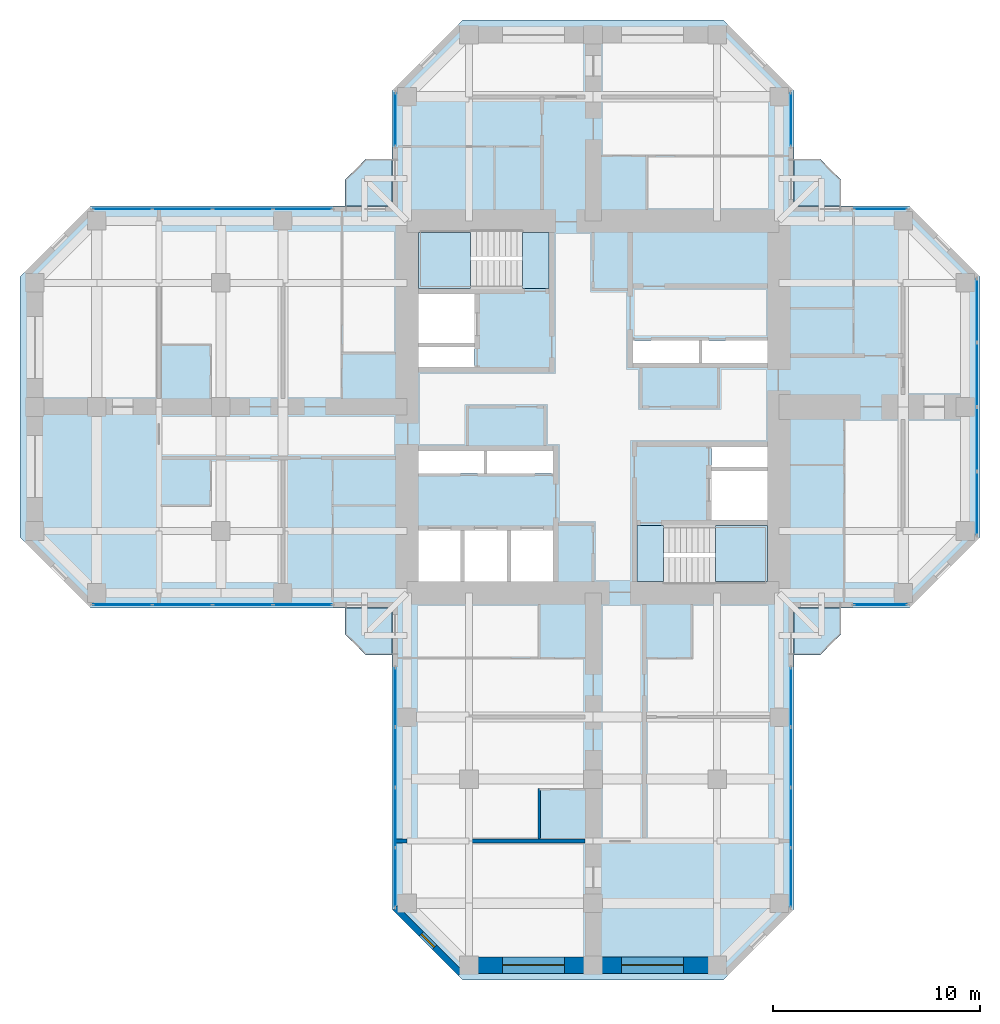
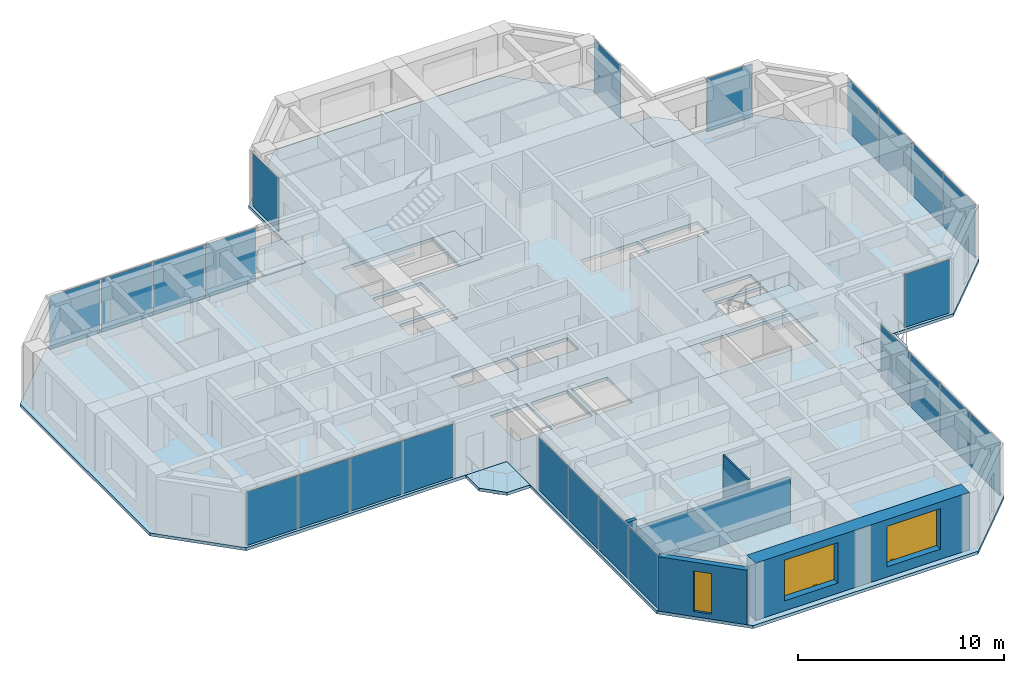
# One storey, part 7 of 14: 24 plates, 9 slabs, 5 walls, 3 windows, 3 openings, 11 elements without a shape of their own.
"""IFC4 building model written with IfcOpenShell, lengths in metres."""

from ifc_helpers import new_model, si_unit, direction, frame, frame_2d, origin, origin_2d, place, context, subcontext, project, spatial, polyline, rectangle, hollow_rectangle, outline, extrude, material, layer, layer_set, constituent, constituent_set, type_object, element, fill, aggregate, save


model = new_model("IFC4")

# Units and contexts
model_context = context("Model", 3, precision=1e-05, world=origin(), true_north=direction((0.0, 1.0)))
body_context = subcontext(model_context, "Body", "Model", "MODEL_VIEW")
ifc_project = project(units=[si_unit("LENGTHUNIT", "METRE"), si_unit("AREAUNIT", "SQUARE_METRE"), si_unit("VOLUMEUNIT", "CUBIC_METRE"), si_unit("PLANEANGLEUNIT", "RADIAN"), si_unit("MASSUNIT", "GRAM", prefix="KILO")], contexts=[model_context])

# Site, building, storey
site_placement = place(None, origin())
site = spatial("IfcSite", under=ifc_project, at=site_placement, CompositionType="ELEMENT")
building_placement = place(site_placement, origin())
building = spatial("IfcBuilding", under=site, at=building_placement, Name="Torre Cruceta", CompositionType="ELEMENT")
storey_placement = place(building_placement, frame((0.0, 0.0, 183.10009765625)))
storey = spatial("IfcBuildingStorey", under=building, at=storey_placement, Name="L45", CompositionType="ELEMENT", Elevation=183.10009765625)

# Slabs
ifc_material_1 = material(Name="Concrete G35 (fck 35 MPa)", Category="concrete")
ifc_layer_1 = layer(ifc_material_1, 0.179931640625)
ifc_layer_set_1 = layer_set([ifc_layer_1], Name="Concrete G35 (fck 35 MPa)")
slab_type_1 = type_object("IfcSlabType", Name="BALCONY SLAB 180", PredefinedType="USERDEFINED", material=ifc_layer_set_1)
slab_1_placement = place(storey_placement, frame((0.0, 0.0, -0.18017578125)))
element("IfcSlab", 1, at=slab_1_placement, inside=storey, type_object=slab_type_1, Name="Balcony slab L45 N", ObjectType="BALCONY", PredefinedType="USERDEFINED", context=body_context, shape_type="SweptSolid", body=[
    extrude(outline(polyline([(-12.0, 11.0), (-11.0, 12.0), (-9.719970703125, 12.0), (-9.719970703125, 9.719970703125), (-12.0, 9.719970703125), (-12.0, 11.0)])), origin(), (0.0, 0.0, 1.0), 0.18017578125),
])
slab_2_placement = place(storey_placement, frame((0.0, 0.0, -0.18017578125)))
element("IfcSlab", 2, at=slab_2_placement, inside=storey, type_object=slab_type_1, Name="Balcony slab L45 E", ObjectType="BALCONY", PredefinedType="USERDEFINED", context=body_context, shape_type="SweptSolid", body=[
    extrude(outline(polyline([(11.0, 12.0), (12.0, 11.0), (12.0, 9.719970703125), (9.719970703125, 9.719970703125), (9.719970703125, 12.0), (11.0, 12.0)])), origin(), (0.0, 0.0, 1.0), 0.18017578125),
])
slab_3_placement = place(storey_placement, frame((0.0, 0.0, -0.18017578125)))
element("IfcSlab", 3, at=slab_3_placement, inside=storey, type_object=slab_type_1, Name="Balcony slab L45 S", ObjectType="BALCONY", PredefinedType="USERDEFINED", context=body_context, shape_type="SweptSolid", body=[
    extrude(outline(polyline([(12.0, -11.0), (11.0, -12.0), (9.719970703125, -12.0), (9.719970703125, -9.719970703125), (12.0, -9.719970703125), (12.0, -11.0)])), origin(), (0.0, 0.0, 1.0), 0.18017578125),
])
slab_4_placement = place(storey_placement, frame((0.0, 0.0, -0.18017578125)))
element("IfcSlab", 4, at=slab_4_placement, inside=storey, type_object=slab_type_1, Name="Balcony slab L45 W", ObjectType="BALCONY", PredefinedType="USERDEFINED", context=body_context, shape_type="SweptSolid", body=[
    extrude(outline(polyline([(-11.0, -12.0), (-12.0, -11.0), (-12.0, -9.719970703125), (-9.719970703125, -9.719970703125), (-9.719970703125, -12.0), (-11.0, -12.0)])), origin(), (0.0, 0.0, 1.0), 0.18017578125),
])

# Curtain wall, plate
ifc_material_2 = material(Name="Aluminium unitised curtain wall", Category="aluminium")
curtain_wall_type = type_object("IfcCurtainWallType", Name="CURTAIN WALL CW-C CO-LIVING", PredefinedType="USERDEFINED", material=ifc_material_2)
curtain_wall_1_placement = place(storey_placement, origin())
curtain_wall_1 = element("IfcCurtainWall", 5, at=curtain_wall_1_placement, inside=storey, type_object=curtain_wall_type, Name="CW-C L45 E tip 02", ObjectType="UNITISED", PredefinedType="USERDEFINED")
ifc_material_3 = material(Name="Laminated insulating glass unit, diagonal frit 50 %", Category="glass")
ifc_material_4 = material(Name="Laminated insulating glass unit, diagonal frit 50 %", Category="glass")
ifc_layer_2 = layer(ifc_material_4, 0.030029296875)
ifc_layer_set_2 = layer_set([ifc_layer_2], Name="Laminated insulating glass unit, diagonal frit 50 %")
plate_type_1 = type_object("IfcPlateType", Name="CW-C OPERABLE VENT PANEL 30", PredefinedType="CURTAIN_PANEL", material=ifc_layer_set_2)
plate_1_placement = place(storey_placement, frame((18.570068359375, -1.55908203125, 0.010009765625), z_axis=(0.0, 0.0, 1.0), x_axis=(0.0, 1.0, 0.0)))
plate_1 = element("IfcPlate", 6, at=plate_1_placement, type_object=plate_type_1, material=ifc_material_3, Name="CW-C vent 2", PredefinedType="CURTAIN_PANEL", context=body_context, shape_type="SweptSolid", body=[
    extrude(rectangle(XDim=3.05810546875, YDim=0.030029296875, at=origin_2d()), origin(), (0.0, 0.0, 1.0), 3.14990234375),
])

curtain_wall_2_placement = place(storey_placement, origin())
curtain_wall_2 = element("IfcCurtainWall", 7, at=curtain_wall_2_placement, inside=storey, type_object=curtain_wall_type, Name="CW-C L45 W side 10", ObjectType="UNITISED", PredefinedType="USERDEFINED")
plate_2_placement = place(storey_placement, frame((-16.94482421875, 9.570068359375, 0.010009765625), z_axis=(0.0, 0.0, 1.0), x_axis=(-1.0, 0.0, 0.0)))
plate_2 = element("IfcPlate", 8, at=plate_2_placement, type_object=plate_type_1, material=ifc_material_3, Name="CW-C vent 2", PredefinedType="CURTAIN_PANEL", context=body_context, shape_type="SweptSolid", body=[
    extrude(rectangle(XDim=2.8564453125, YDim=0.030029296875, at=origin_2d()), origin(), (0.0, 0.0, 1.0), 3.14990234375),
])

curtain_wall_3_placement = place(storey_placement, origin())
curtain_wall_3 = element("IfcCurtainWall", 9, at=curtain_wall_3_placement, inside=storey, type_object=curtain_wall_type, Name="CW-C L45 W side 14", ObjectType="UNITISED", PredefinedType="USERDEFINED")
plate_3_placement = place(storey_placement, frame((-19.861328125, -9.570068359375, 0.010009765625), z_axis=(0.0, 0.0, 1.0), x_axis=(1.0, 0.0, 0.0)))
plate_3 = element("IfcPlate", 10, at=plate_3_placement, type_object=plate_type_1, material=ifc_material_3, Name="CW-C vent 2", PredefinedType="CURTAIN_PANEL", context=body_context, shape_type="SweptSolid", body=[
    extrude(rectangle(XDim=2.8564453125, YDim=0.030029296875, at=origin_2d()), origin(), (0.0, 0.0, 1.0), 3.14990234375),
])

curtain_wall_4_placement = place(storey_placement, origin())
curtain_wall_4 = element("IfcCurtainWall", 11, at=curtain_wall_4_placement, inside=storey, type_object=curtain_wall_type, Name="CW-C L45 S side 15", ObjectType="UNITISED", PredefinedType="USERDEFINED")
plate_4_placement = place(storey_placement, frame((-9.570068359375, -16.94482421875, 0.010009765625), z_axis=(0.0, 0.0, 1.0), x_axis=(0.0, -1.0, 0.0)))
plate_4 = element("IfcPlate", 12, at=plate_4_placement, type_object=plate_type_1, material=ifc_material_3, Name="CW-C vent 2", PredefinedType="CURTAIN_PANEL", context=body_context, shape_type="SweptSolid", body=[
    extrude(rectangle(XDim=2.8564453125, YDim=0.030029296875, at=origin_2d()), origin(), (0.0, 0.0, 1.0), 3.14990234375),
])

curtain_wall_5_placement = place(storey_placement, origin())
curtain_wall_5 = element("IfcCurtainWall", 13, at=curtain_wall_5_placement, inside=storey, type_object=curtain_wall_type, Name="CW-C L45 S side 19", ObjectType="UNITISED", PredefinedType="USERDEFINED")
plate_5_placement = place(storey_placement, frame((9.570068359375, -19.861328125, 0.010009765625), z_axis=(0.0, 0.0, 1.0), x_axis=(0.0, 1.0, 0.0)))
plate_5 = element("IfcPlate", 14, at=plate_5_placement, type_object=plate_type_1, material=ifc_material_3, Name="CW-C vent 2", PredefinedType="CURTAIN_PANEL", context=body_context, shape_type="SweptSolid", body=[
    extrude(rectangle(XDim=2.8564453125, YDim=0.030029296875, at=origin_2d()), origin(), (0.0, 0.0, 1.0), 3.14990234375),
])

curtain_wall_6_placement = place(storey_placement, origin())
curtain_wall_6 = element("IfcCurtainWall", 15, at=curtain_wall_6_placement, inside=storey, type_object=curtain_wall_type, Name="CW-C L45 E side 00", ObjectType="UNITISED", PredefinedType="USERDEFINED")
ifc_material_5 = material(Name="Laminated insulating glass unit, diagonal frit 50 %", Category="glass")
ifc_layer_3 = layer(ifc_material_5, 0.030029296875)
ifc_layer_set_3 = layer_set([ifc_layer_3], Name="Laminated insulating glass unit, diagonal frit 50 %")
plate_type_2 = type_object("IfcPlateType", Name="CW-C PANEL 30", PredefinedType="CURTAIN_PANEL", material=ifc_layer_set_3)
plate_6_placement = place(storey_placement, frame((13.903076171875, -9.570068359375, 0.010009765625), z_axis=(0.0, 0.0, 1.0), x_axis=(1.0, 0.0, 0.0)))
plate_6 = element("IfcPlate", 16, at=plate_6_placement, type_object=plate_type_2, material=ifc_material_3, Name="CW-C panel 1", PredefinedType="CURTAIN_PANEL", context=body_context, shape_type="SweptSolid", body=[
    extrude(rectangle(XDim=2.546142578125, YDim=0.030029296875, at=origin_2d()), origin(), (0.0, 0.0, 1.0), 3.14990234375),
])
aggregate(curtain_wall_6, [plate_6])

# Plate
plate_7_placement = place(storey_placement, frame((18.570068359375, -4.662109375, 0.010009765625), z_axis=(0.0, 0.0, 1.0), x_axis=(0.0, 1.0, 0.0)))
plate_7 = element("IfcPlate", 17, at=plate_7_placement, type_object=plate_type_2, material=ifc_material_3, Name="CW-C panel 1", PredefinedType="CURTAIN_PANEL", context=body_context, shape_type="SweptSolid", body=[
    extrude(rectangle(XDim=3.028076171875, YDim=0.030029296875, at=origin_2d()), origin(), (0.0, 0.0, 1.0), 3.14990234375),
])

plate_8_placement = place(storey_placement, frame((18.570068359375, 1.55908203125, 0.010009765625), z_axis=(0.0, 0.0, 1.0), x_axis=(0.0, 1.0, 0.0)))
plate_8 = element("IfcPlate", 18, at=plate_8_placement, type_object=plate_type_2, material=ifc_material_3, Name="CW-C panel 3", PredefinedType="CURTAIN_PANEL", context=body_context, shape_type="SweptSolid", body=[
    extrude(rectangle(XDim=3.05810546875, YDim=0.030029296875, at=origin_2d()), origin(), (0.0, 0.0, 1.0), 3.14990234375),
])

ifc_material_6 = material(Name="Laminated insulating glass unit, low-iron clear", Category="glass")
plate_9_placement = place(storey_placement, frame((18.570068359375, 4.662109375, 0.010009765625), z_axis=(0.0, 0.0, 1.0), x_axis=(0.0, 1.0, 0.0)))
plate_9 = element("IfcPlate", 19, at=plate_9_placement, type_object=plate_type_2, material=ifc_material_6, Name="CW-C panel 4", PredefinedType="CURTAIN_PANEL", context=body_context, shape_type="SweptSolid", body=[
    extrude(rectangle(XDim=3.028076171875, YDim=0.030029296875, at=origin_2d()), origin(), (0.0, 0.0, 1.0), 3.14990234375),
])

aggregate(curtain_wall_1, [plate_7, plate_1, plate_8, plate_9])

# Curtain wall, plate
curtain_wall_7_placement = place(storey_placement, origin())
curtain_wall_7 = element("IfcCurtainWall", 20, at=curtain_wall_7_placement, inside=storey, type_object=curtain_wall_type, Name="CW-C L45 E side 04", ObjectType="UNITISED", PredefinedType="USERDEFINED")
plate_10_placement = place(storey_placement, frame((13.903076171875, 9.570068359375, 0.010009765625), z_axis=(0.0, 0.0, 1.0), x_axis=(-1.0, 0.0, 0.0)))
plate_10 = element("IfcPlate", 21, at=plate_10_placement, type_object=plate_type_2, material=ifc_material_3, Name="CW-C panel 1", PredefinedType="CURTAIN_PANEL", context=body_context, shape_type="SweptSolid", body=[
    extrude(rectangle(XDim=2.546142578125, YDim=0.030029296875, at=origin_2d()), origin(), (0.0, 0.0, 1.0), 3.14990234375),
])
aggregate(curtain_wall_7, [plate_10])

curtain_wall_8_placement = place(storey_placement, origin())
curtain_wall_8 = element("IfcCurtainWall", 22, at=curtain_wall_8_placement, inside=storey, type_object=curtain_wall_type, Name="CW-C L45 N side 05", ObjectType="UNITISED", PredefinedType="USERDEFINED")
plate_11_placement = place(storey_placement, frame((9.570068359375, 13.903076171875, 0.010009765625), z_axis=(0.0, 0.0, 1.0), x_axis=(0.0, 1.0, 0.0)))
plate_11 = element("IfcPlate", 23, at=plate_11_placement, type_object=plate_type_2, material=ifc_material_3, Name="CW-C panel 1", PredefinedType="CURTAIN_PANEL", context=body_context, shape_type="SweptSolid", body=[
    extrude(rectangle(XDim=2.546142578125, YDim=0.030029296875, at=origin_2d()), origin(), (0.0, 0.0, 1.0), 3.14990234375),
])
aggregate(curtain_wall_8, [plate_11])

curtain_wall_9_placement = place(storey_placement, origin())
curtain_wall_9 = element("IfcCurtainWall", 24, at=curtain_wall_9_placement, inside=storey, type_object=curtain_wall_type, Name="CW-C L45 N side 09", ObjectType="UNITISED", PredefinedType="USERDEFINED")
plate_12_placement = place(storey_placement, frame((-9.570068359375, 13.903076171875, 0.010009765625), z_axis=(0.0, 0.0, 1.0), x_axis=(0.0, -1.0, 0.0)))
plate_12 = element("IfcPlate", 25, at=plate_12_placement, type_object=plate_type_2, material=ifc_material_3, Name="CW-C panel 1", PredefinedType="CURTAIN_PANEL", context=body_context, shape_type="SweptSolid", body=[
    extrude(rectangle(XDim=2.546142578125, YDim=0.030029296875, at=origin_2d()), origin(), (0.0, 0.0, 1.0), 3.14990234375),
])
aggregate(curtain_wall_9, [plate_12])

# Plate
plate_13_placement = place(storey_placement, frame((-14.043212890625, 9.570068359375, 0.010009765625), z_axis=(0.0, 0.0, 1.0), x_axis=(-1.0, 0.0, 0.0)))
plate_13 = element("IfcPlate", 26, at=plate_13_placement, type_object=plate_type_2, material=ifc_material_3, Name="CW-C panel 1", PredefinedType="CURTAIN_PANEL", context=body_context, shape_type="SweptSolid", body=[
    extrude(rectangle(XDim=2.826416015625, YDim=0.030029296875, at=origin_2d()), origin(), (0.0, 0.0, 1.0), 3.14990234375),
])

plate_14_placement = place(storey_placement, frame((-19.861328125, 9.570068359375, 0.010009765625), z_axis=(0.0, 0.0, 1.0), x_axis=(-1.0, 0.0, 0.0)))
plate_14 = element("IfcPlate", 27, at=plate_14_placement, type_object=plate_type_2, material=ifc_material_3, Name="CW-C panel 3", PredefinedType="CURTAIN_PANEL", context=body_context, shape_type="SweptSolid", body=[
    extrude(rectangle(XDim=2.8564453125, YDim=0.030029296875, at=origin_2d()), origin(), (0.0, 0.0, 1.0), 3.14990234375),
])

plate_15_placement = place(storey_placement, frame((-22.762939453125, 9.570068359375, 0.010009765625), z_axis=(0.0, 0.0, 1.0), x_axis=(-1.0, 0.0, 0.0)))
plate_15 = element("IfcPlate", 28, at=plate_15_placement, type_object=plate_type_2, material=ifc_material_6, Name="CW-C panel 4", PredefinedType="CURTAIN_PANEL", context=body_context, shape_type="SweptSolid", body=[
    extrude(rectangle(XDim=2.826416015625, YDim=0.030029296875, at=origin_2d()), origin(), (0.0, 0.0, 1.0), 3.14990234375),
])

aggregate(curtain_wall_2, [plate_13, plate_2, plate_14, plate_15])

plate_16_placement = place(storey_placement, frame((-22.762939453125, -9.570068359375, 0.010009765625), z_axis=(0.0, 0.0, 1.0), x_axis=(1.0, 0.0, 0.0)))
plate_16 = element("IfcPlate", 29, at=plate_16_placement, type_object=plate_type_2, material=ifc_material_3, Name="CW-C panel 1", PredefinedType="CURTAIN_PANEL", context=body_context, shape_type="SweptSolid", body=[
    extrude(rectangle(XDim=2.826416015625, YDim=0.030029296875, at=origin_2d()), origin(), (0.0, 0.0, 1.0), 3.14990234375),
])

plate_17_placement = place(storey_placement, frame((-16.94482421875, -9.570068359375, 0.010009765625), z_axis=(0.0, 0.0, 1.0), x_axis=(1.0, 0.0, 0.0)))
plate_17 = element("IfcPlate", 30, at=plate_17_placement, type_object=plate_type_2, material=ifc_material_3, Name="CW-C panel 3", PredefinedType="CURTAIN_PANEL", context=body_context, shape_type="SweptSolid", body=[
    extrude(rectangle(XDim=2.8564453125, YDim=0.030029296875, at=origin_2d()), origin(), (0.0, 0.0, 1.0), 3.14990234375),
])

plate_18_placement = place(storey_placement, frame((-14.043212890625, -9.570068359375, 0.010009765625), z_axis=(0.0, 0.0, 1.0), x_axis=(1.0, 0.0, 0.0)))
plate_18 = element("IfcPlate", 31, at=plate_18_placement, type_object=plate_type_2, material=ifc_material_6, Name="CW-C panel 4", PredefinedType="CURTAIN_PANEL", context=body_context, shape_type="SweptSolid", body=[
    extrude(rectangle(XDim=2.826416015625, YDim=0.030029296875, at=origin_2d()), origin(), (0.0, 0.0, 1.0), 3.14990234375),
])

aggregate(curtain_wall_3, [plate_16, plate_3, plate_17, plate_18])

plate_19_placement = place(storey_placement, frame((-9.570068359375, -14.043212890625, 0.010009765625), z_axis=(0.0, 0.0, 1.0), x_axis=(0.0, -1.0, 0.0)))
plate_19 = element("IfcPlate", 32, at=plate_19_placement, type_object=plate_type_2, material=ifc_material_3, Name="CW-C panel 1", PredefinedType="CURTAIN_PANEL", context=body_context, shape_type="SweptSolid", body=[
    extrude(rectangle(XDim=2.826416015625, YDim=0.030029296875, at=origin_2d()), origin(), (0.0, 0.0, 1.0), 3.14990234375),
])

plate_20_placement = place(storey_placement, frame((-9.570068359375, -19.861328125, 0.010009765625), z_axis=(0.0, 0.0, 1.0), x_axis=(0.0, -1.0, 0.0)))
plate_20 = element("IfcPlate", 33, at=plate_20_placement, type_object=plate_type_2, material=ifc_material_3, Name="CW-C panel 3", PredefinedType="CURTAIN_PANEL", context=body_context, shape_type="SweptSolid", body=[
    extrude(rectangle(XDim=2.8564453125, YDim=0.030029296875, at=origin_2d()), origin(), (0.0, 0.0, 1.0), 3.14990234375),
])

plate_21_placement = place(storey_placement, frame((-9.570068359375, -22.762939453125, 0.010009765625), z_axis=(0.0, 0.0, 1.0), x_axis=(0.0, -1.0, 0.0)))
plate_21 = element("IfcPlate", 34, at=plate_21_placement, type_object=plate_type_2, material=ifc_material_6, Name="CW-C panel 4", PredefinedType="CURTAIN_PANEL", context=body_context, shape_type="SweptSolid", body=[
    extrude(rectangle(XDim=2.826416015625, YDim=0.030029296875, at=origin_2d()), origin(), (0.0, 0.0, 1.0), 3.14990234375),
])

aggregate(curtain_wall_4, [plate_19, plate_4, plate_20, plate_21])

plate_22_placement = place(storey_placement, frame((9.570068359375, -22.762939453125, 0.010009765625), z_axis=(0.0, 0.0, 1.0), x_axis=(0.0, 1.0, 0.0)))
plate_22 = element("IfcPlate", 35, at=plate_22_placement, type_object=plate_type_2, material=ifc_material_3, Name="CW-C panel 1", PredefinedType="CURTAIN_PANEL", context=body_context, shape_type="SweptSolid", body=[
    extrude(rectangle(XDim=2.826416015625, YDim=0.030029296875, at=origin_2d()), origin(), (0.0, 0.0, 1.0), 3.14990234375),
])

plate_23_placement = place(storey_placement, frame((9.570068359375, -16.94482421875, 0.010009765625), z_axis=(0.0, 0.0, 1.0), x_axis=(0.0, 1.0, 0.0)))
plate_23 = element("IfcPlate", 36, at=plate_23_placement, type_object=plate_type_2, material=ifc_material_3, Name="CW-C panel 3", PredefinedType="CURTAIN_PANEL", context=body_context, shape_type="SweptSolid", body=[
    extrude(rectangle(XDim=2.8564453125, YDim=0.030029296875, at=origin_2d()), origin(), (0.0, 0.0, 1.0), 3.14990234375),
])

plate_24_placement = place(storey_placement, frame((9.570068359375, -14.043212890625, 0.010009765625), z_axis=(0.0, 0.0, 1.0), x_axis=(0.0, 1.0, 0.0)))
plate_24 = element("IfcPlate", 37, at=plate_24_placement, type_object=plate_type_2, material=ifc_material_6, Name="CW-C panel 4", PredefinedType="CURTAIN_PANEL", context=body_context, shape_type="SweptSolid", body=[
    extrude(rectangle(XDim=2.826416015625, YDim=0.030029296875, at=origin_2d()), origin(), (0.0, 0.0, 1.0), 3.14990234375),
])

aggregate(curtain_wall_5, [plate_22, plate_5, plate_23, plate_24])

# Slab
ifc_material_7 = material(Name="Concrete G35 (fck 35 MPa)", Category="concrete")
ifc_layer_4 = layer(ifc_material_7, 0.179931640625)
ifc_layer_set_4 = layer_set([ifc_layer_4], Name="Concrete G35 (fck 35 MPa)")
slab_type_2 = type_object("IfcSlabType", Name="FLOOR SLAB 180", PredefinedType="FLOOR", material=ifc_layer_set_4)
slab_5_placement = place(storey_placement, frame((0.0, 0.0, -0.18017578125)))
element("IfcSlab", 38, at=slab_5_placement, inside=storey, type_object=slab_type_2, Name="Floor Slab L45", PredefinedType="FLOOR", context=body_context, shape_type="SweptSolid", body=[
    extrude(outline(polyline([(9.719970703125, -9.719970703125), (9.719970703125, -24.29833984375), (6.29833984375, -27.719970703125), (-6.29833984375, -27.719970703125), (-9.719970703125, -24.29833984375), (-9.719970703125, -9.719970703125), (-24.29833984375, -9.719970703125), (-27.719970703125, -6.29833984375), (-27.719970703125, 6.29833984375), (-24.29833984375, 9.719970703125), (-9.719970703125, 9.719970703125), (-9.719970703125, 15.29833984375), (-6.29833984375, 18.719970703125), (6.29833984375, 18.719970703125), (9.719970703125, 15.29833984375), (9.719970703125, 9.719970703125), (15.29833984375, 9.719970703125), (18.719970703125, 6.29833984375), (18.719970703125, -6.29833984375), (15.29833984375, -9.719970703125), (9.719970703125, -9.719970703125)]), holes=[polyline([(1.925048828125, 2.125), (5.125, 2.125), (5.125, 3.22509765625), (1.925048828125, 3.22509765625), (1.925048828125, 2.125)]), polyline([(5.27490234375, 2.125), (8.449951171875, 2.125), (8.449951171875, 3.22509765625), (5.27490234375, 3.22509765625), (5.27490234375, 2.125)]), polyline([(-8.449951171875, 3.10009765625), (-5.72509765625, 3.10009765625), (-5.72509765625, 5.47509765625), (-8.449951171875, 5.47509765625), (-8.449951171875, 3.10009765625)]), polyline([(-8.449951171875, 1.925048828125), (-5.72509765625, 1.925048828125), (-5.72509765625, 2.89990234375), (-8.449951171875, 2.89990234375), (-8.449951171875, 1.925048828125)]), polyline([(-3.966552734375, -8.449951171875), (-1.925048828125, -8.449951171875), (-1.925048828125, -5.97509765625), (-3.966552734375, -5.97509765625), (-3.966552734375, -8.449951171875)]), polyline([(-6.208251953125, -8.449951171875), (-4.166748046875, -8.449951171875), (-4.166748046875, -5.97509765625), (-6.208251953125, -5.97509765625), (-6.208251953125, -8.449951171875)]), polyline([(-8.449951171875, -8.449951171875), (-6.408447265625, -8.449951171875), (-6.408447265625, -5.97509765625), (-8.449951171875, -5.97509765625), (-8.449951171875, -8.449951171875)]), polyline([(-5.125, -3.22509765625), (-1.925048828125, -3.22509765625), (-1.925048828125, -2.125), (-5.125, -2.125), (-5.125, -3.22509765625)]), polyline([(-8.449951171875, -3.22509765625), (-5.27490234375, -3.22509765625), (-5.27490234375, -2.125), (-8.449951171875, -2.125), (-8.449951171875, -3.22509765625)]), polyline([(5.72509765625, -5.47509765625), (8.449951171875, -5.47509765625), (8.449951171875, -3.10009765625), (5.72509765625, -3.10009765625), (5.72509765625, -5.47509765625)]), polyline([(5.72509765625, -2.89990234375), (8.449951171875, -2.89990234375), (8.449951171875, -1.925048828125), (5.72509765625, -1.925048828125), (5.72509765625, -2.89990234375)]), polyline([(-8.449951171875, 5.72509765625), (-8.449951171875, 8.449951171875), (-3.39990234375, 8.449951171875), (-2.125, 8.449951171875), (-2.125, 5.72509765625), (-3.39990234375, 5.72509765625), (-8.449951171875, 5.72509765625)]), polyline([(2.125, -5.72509765625), (3.39990234375, -5.72509765625), (8.449951171875, -5.72509765625), (8.449951171875, -8.449951171875), (3.39990234375, -8.449951171875), (2.125, -8.449951171875), (2.125, -5.72509765625)])]), origin(), (0.0, 0.0, 1.0), 0.18017578125),
])

# Stair, slab
ifc_material_8 = material(Name="Concrete G30 (fck 30 MPa)", Category="concrete")
stair_type = type_object("IfcStairType", Name="STAIR HALF-TURN 1300", PredefinedType="HALF_TURN_STAIR", material=ifc_material_8)
stair_1_placement = place(storey_placement, origin())
stair_1 = element("IfcStair", 39, at=stair_1_placement, inside=storey, type_object=stair_type, Name="Stair ST1 L45", PredefinedType="HALF_TURN_STAIR")
ifc_material_9 = material(Name="Concrete G30 (fck 30 MPa)", Category="concrete")
ifc_layer_5 = layer(ifc_material_9, 0.199951171875)
ifc_layer_set_5 = layer_set([ifc_layer_5], Name="Concrete G30 (fck 30 MPa)")
slab_type_3 = type_object("IfcSlabType", Name="STAIR LANDING 200", PredefinedType="LANDING", material=ifc_layer_set_5)
slab_6_placement = place(storey_placement, frame((0.0, 0.0, 1.5)))
slab_6 = element("IfcSlab", 40, at=slab_6_placement, type_object=slab_type_3, Name="ST1 landing 1", PredefinedType="LANDING", context=body_context, shape_type="SweptSolid", body=[
    extrude(outline(polyline([(-8.449951171875, 5.72509765625), (-5.919921875, 5.72509765625), (-5.919921875, 8.449951171875), (-8.449951171875, 8.449951171875), (-8.449951171875, 5.72509765625)])), origin(), (0.0, 0.0, 1.0), 0.199951171875),
])
aggregate(stair_1, [slab_6])

stair_2_placement = place(storey_placement, origin())
stair_2 = element("IfcStair", 41, at=stair_2_placement, inside=storey, type_object=stair_type, Name="Stair ST2 L45", PredefinedType="HALF_TURN_STAIR")
slab_7_placement = place(storey_placement, frame((0.0, 0.0, 1.5)))
slab_7 = element("IfcSlab", 42, at=slab_7_placement, type_object=slab_type_3, Name="ST2 landing 1", PredefinedType="LANDING", context=body_context, shape_type="SweptSolid", body=[
    extrude(outline(polyline([(5.919921875, -8.449951171875), (8.449951171875, -8.449951171875), (8.449951171875, -5.72509765625), (5.919921875, -5.72509765625), (5.919921875, -8.449951171875)])), origin(), (0.0, 0.0, 1.0), 0.199951171875),
])
aggregate(stair_2, [slab_7])

# Slabs
slab_8_placement = place(storey_placement, frame((0.0, 0.0, -0.2001953125)))
element("IfcSlab", 43, at=slab_8_placement, inside=storey, type_object=slab_type_3, Name="Stair ST1 floor landing L45", PredefinedType="LANDING", context=body_context, shape_type="SweptSolid", body=[
    extrude(outline(polyline([(-2.125, 8.449951171875), (-2.125, 5.72509765625), (-3.39990234375, 5.72509765625), (-3.39990234375, 8.449951171875), (-2.125, 8.449951171875)])), origin(), (0.0, 0.0, 1.0), 0.2001953125),
])
slab_9_placement = place(storey_placement, frame((0.0, 0.0, -0.2001953125)))
element("IfcSlab", 44, at=slab_9_placement, inside=storey, type_object=slab_type_3, Name="Stair ST2 floor landing L45", PredefinedType="LANDING", context=body_context, shape_type="SweptSolid", body=[
    extrude(outline(polyline([(2.125, -8.449951171875), (2.125, -5.72509765625), (3.39990234375, -5.72509765625), (3.39990234375, -8.449951171875), (2.125, -8.449951171875)])), origin(), (0.0, 0.0, 1.0), 0.2001953125),
])

# Wall
ifc_material_10 = material(Name="Water-resistant plasterboard on steel studs", Category="steel")
ifc_layer_6 = layer(ifc_material_10, 0.10009765625)
ifc_layer_set_6 = layer_set([ifc_layer_6], Name="Water-resistant plasterboard on steel studs")
wall_type_1 = type_object("IfcWallType", Name="BATHROOM WALL 100", PredefinedType="PARTITIONING", material=ifc_layer_set_6)
wall_1_placement = place(storey_placement, frame((-2.60009765625, -18.449951171875, 0.0), z_axis=(0.0, 0.0, 1.0), x_axis=(0.0, -1.0, 0.0)))
element("IfcWall", 45, at=wall_1_placement, inside=storey, type_object=wall_type_1, Name="PT4 L45-S-U2RBB", PredefinedType="PARTITIONING", context=body_context, shape_type="SweptSolid", body=[
    extrude(rectangle(XDim=2.449951171875, YDim=0.10009765625, at=frame_2d((1.22509765625, 0.0))), origin(), (0.0, 0.0, 1.0), 3.219970703125),
])

# Wall, opening, window
ifc_material_11 = material(Name="Concrete G30 (fck 30 MPa)", Category="concrete")
ifc_layer_7 = layer(ifc_material_11, 0.300048828125)
ifc_layer_set_7 = layer_set([ifc_layer_7], Name="Concrete G30 (fck 30 MPa)")
wall_type_2 = type_object("IfcWallType", Name="EXPOSED CONCRETE FACADE WALL 300", PredefinedType="SOLIDWALL", material=ifc_layer_set_7)
wall_2_placement = place(storey_placement, frame((-9.570068359375, -24.236083984375, 0.0), z_axis=(0.0, 0.0, 1.0), x_axis=(0.707134062067, -0.707079499254, 0.0)))
wall_2 = element("IfcWall", 46, at=wall_2_placement, inside=storey, type_object=wall_type_2, Name="EW1 facade wall L45 S chamfer 16", PredefinedType="SOLIDWALL", context=body_context, shape_type="SweptSolid", body=[
    extrude(rectangle(XDim=4.474609375, YDim=0.300048828125, at=frame_2d((2.2373046875, 0.0))), origin(), (0.0, 0.0, 1.0), 3.219970703125),
])
opening_1_placement = place(wall_2_placement, frame((1.787109375, 0.0, 0.300048828125)))
opening_1 = element("IfcOpeningElement", 47, at=opening_1_placement, cuts=wall_2, Name="Opening WN5", PredefinedType="OPENING", context=body_context, shape_type="SweptSolid", body=[
    extrude(rectangle(XDim=0.89990234375, YDim=2.39990234375, at=frame_2d((0.449951171875, 1.199951171875))), frame((0.0, 0.159912109375, 0.0), z_axis=(0.0, -1.0, 0.0), x_axis=(1.0, 0.0, 0.0)), (0.0, 0.0, 1.0), 0.320068359375),
])
ifc_material_12 = material(Name="Aluminium window frame", Category="aluminium")
ifc_constituent_1 = constituent(ifc_material_12, Name="Frame")
ifc_material_13 = material(Name="Laminated insulating glass unit, low-iron clear", Category="glass")
ifc_constituent_2 = constituent(ifc_material_13, Name="Glazing")
ifc_constituent_set_1 = constituent_set(constituents=[ifc_constituent_1, ifc_constituent_2], Name="Aluminium window")
window_type_1 = type_object("IfcWindowType", Name="CHAMFER SLOT WINDOW 900X2400", PartitioningType="SINGLE_PANEL", PredefinedType="WINDOW", material=ifc_constituent_set_1)
window_1_placement = place(opening_1_placement, origin())
window_1 = element("IfcWindow", 48, at=window_1_placement, inside=storey, type_object=window_type_1, Name="WN5 L45 S 1", OverallHeight=2.39990234375, OverallWidth=0.89990234375, PartitioningType="SINGLE_PANEL", PredefinedType="WINDOW", context=body_context, shape_type="SweptSolid", body=[
    extrude(hollow_rectangle(XDim=0.89990234375, YDim=2.39990234375, WallThickness=0.06005859375, at=frame_2d((0.449951171875, 1.199951171875))), frame((0.0, 0.030029296875, 0.0), z_axis=(0.0, -1.0, 0.0), x_axis=(1.0, 0.0, 0.0)), (0.0, 0.0, 1.0), 0.06005859375),
    extrude(rectangle(XDim=0.77880859375, YDim=2.27880859375, at=frame_2d((0.449951171875, 1.199951171875))), frame((0.0, 0.030029296875, 0.0), z_axis=(0.0, -1.0, 0.0), x_axis=(1.0, 0.0, 0.0)), (0.0, 0.0, 1.0), 0.06005859375),
])
fill(opening_1, window_1)

# Wall, openings, windows
ifc_material_14 = material(Name="Concrete G60 (fck 60 MPa)", Category="concrete")
ifc_layer_8 = layer(ifc_material_14, 0.800048828125)
ifc_layer_set_8 = layer_set([ifc_layer_8], Name="Concrete G60 (fck 60 MPa)")
wall_type_3 = type_object("IfcWallType", Name="NOSE WALL 800 G60", PredefinedType="SHEAR", material=ifc_layer_set_8)
wall_3_placement = place(storey_placement, frame((-6.0, -27.0, 0.0), z_axis=(0.0, 0.0, 1.0), x_axis=(1.0, 0.0, 0.0)))
wall_3 = element("IfcWall", 49, at=wall_3_placement, inside=storey, type_object=wall_type_3, Name="NW2 nose wall L45 S", PredefinedType="SHEAR", context=body_context, shape_type="SweptSolid", body=[
    extrude(rectangle(XDim=12.0, YDim=0.800048828125, at=frame_2d((6.0, 0.0))), origin(), (0.0, 0.0, 1.0), 3.39990234375),
])
opening_2_placement = place(wall_3_placement, frame((1.625, 0.0, 0.60009765625)))
opening_2 = element("IfcOpeningElement", 50, at=opening_2_placement, cuts=wall_3, Name="Opening WN6", PredefinedType="OPENING", context=body_context, shape_type="SweptSolid", body=[
    extrude(rectangle(XDim=3.0, YDim=2.39990234375, at=frame_2d((1.5, 1.199951171875))), frame((0.0, 0.409912109375, 0.0), z_axis=(0.0, -1.0, 0.0), x_axis=(1.0, 0.0, 0.0)), (0.0, 0.0, 1.0), 0.820068359375),
])
opening_3_placement = place(wall_3_placement, frame((7.375, 0.0, 0.60009765625)))
opening_3 = element("IfcOpeningElement", 51, at=opening_3_placement, cuts=wall_3, Name="Opening WN6", PredefinedType="OPENING", context=body_context, shape_type="SweptSolid", body=[
    extrude(rectangle(XDim=3.0, YDim=2.39990234375, at=frame_2d((1.5, 1.199951171875))), frame((0.0, 0.409912109375, 0.0), z_axis=(0.0, -1.0, 0.0), x_axis=(1.0, 0.0, 0.0)), (0.0, 0.0, 1.0), 0.820068359375),
])
ifc_material_15 = material(Name="Aluminium window frame", Category="aluminium")
ifc_constituent_3 = constituent(ifc_material_15, Name="Frame")
ifc_material_16 = material(Name="Laminated insulating glass unit, low-iron clear", Category="glass")
ifc_constituent_4 = constituent(ifc_material_16, Name="Glazing")
ifc_constituent_set_2 = constituent_set(constituents=[ifc_constituent_3, ifc_constituent_4], Name="Aluminium window")
window_type_2 = type_object("IfcWindowType", Name="NOSE WALL WINDOW 3000X2400", PartitioningType="SINGLE_PANEL", PredefinedType="WINDOW", material=ifc_constituent_set_2)
window_2_placement = place(opening_2_placement, origin())
window_2 = element("IfcWindow", 52, at=window_2_placement, inside=storey, type_object=window_type_2, Name="WN6 L45 S 1", OverallHeight=2.39990234375, OverallWidth=3.0, PartitioningType="SINGLE_PANEL", PredefinedType="WINDOW", context=body_context, shape_type="SweptSolid", body=[
    extrude(hollow_rectangle(XDim=3.0, YDim=2.39990234375, WallThickness=0.06005859375, at=frame_2d((1.5, 1.199951171875))), frame((0.0, 0.030029296875, 0.0), z_axis=(0.0, -1.0, 0.0), x_axis=(1.0, 0.0, 0.0)), (0.0, 0.0, 1.0), 0.06005859375),
    extrude(rectangle(XDim=2.87890625, YDim=2.27880859375, at=frame_2d((1.5, 1.199951171875))), frame((0.0, 0.030029296875, 0.0), z_axis=(0.0, -1.0, 0.0), x_axis=(1.0, 0.0, 0.0)), (0.0, 0.0, 1.0), 0.06005859375),
])
fill(opening_2, window_2)
window_3_placement = place(opening_3_placement, origin())
window_3 = element("IfcWindow", 53, at=window_3_placement, inside=storey, type_object=window_type_2, Name="WN6 L45 S 2", OverallHeight=2.39990234375, OverallWidth=3.0, PartitioningType="SINGLE_PANEL", PredefinedType="WINDOW", context=body_context, shape_type="SweptSolid", body=[
    extrude(hollow_rectangle(XDim=3.0, YDim=2.39990234375, WallThickness=0.06005859375, at=frame_2d((1.5, 1.199951171875))), frame((0.0, 0.030029296875, 0.0), z_axis=(0.0, -1.0, 0.0), x_axis=(1.0, 0.0, 0.0)), (0.0, 0.0, 1.0), 0.06005859375),
    extrude(rectangle(XDim=2.87890625, YDim=2.27880859375, at=frame_2d((1.5, 1.199951171875))), frame((0.0, 0.030029296875, 0.0), z_axis=(0.0, -1.0, 0.0), x_axis=(1.0, 0.0, 0.0)), (0.0, 0.0, 1.0), 0.06005859375),
])
fill(opening_3, window_3)

# Walls
ifc_material_17 = material(Name="Concrete G25 (fck 25 MPa)", Category="concrete")
ifc_layer_9 = layer(ifc_material_17, 0.199951171875)
ifc_layer_set_9 = layer_set([ifc_layer_9], Name="Concrete G25 (fck 25 MPa)")
wall_type_4 = type_object("IfcWallType", Name="UNIT SEPARATING WALL 200", PredefinedType="SOLIDWALL", material=ifc_layer_set_9)
wall_4_placement = place(storey_placement, frame((-9.530029296875, -21.0, 0.0), z_axis=(0.0, 0.0, 1.0), x_axis=(1.0, 0.0, 0.0)))
element("IfcWall", 54, at=wall_4_placement, inside=storey, type_object=wall_type_4, Name="PT2 L45-S-ENDa", PredefinedType="SOLIDWALL", context=body_context, shape_type="SweptSolid", body=[
    extrude(rectangle(XDim=0.530029296875, YDim=0.199951171875, at=frame_2d((0.26513671875, 0.0))), origin(), (0.0, 0.0, 1.0), 3.219970703125),
])
wall_5_placement = place(storey_placement, frame((-9.0, -21.0, 0.0), z_axis=(0.0, 0.0, 1.0), x_axis=(1.0, 0.0, 0.0)))
element("IfcWall", 55, at=wall_5_placement, inside=storey, type_object=wall_type_4, Name="PT2 L45-S-ENDa 2", PredefinedType="SOLIDWALL", context=body_context, shape_type="SweptSolid", body=[
    extrude(rectangle(XDim=8.60009765625, YDim=0.199951171875, at=frame_2d((4.300048828125, 0.0))), origin(), (0.0, 0.0, 1.0), 2.619873046875),
])

save(model, "model.ifc")
